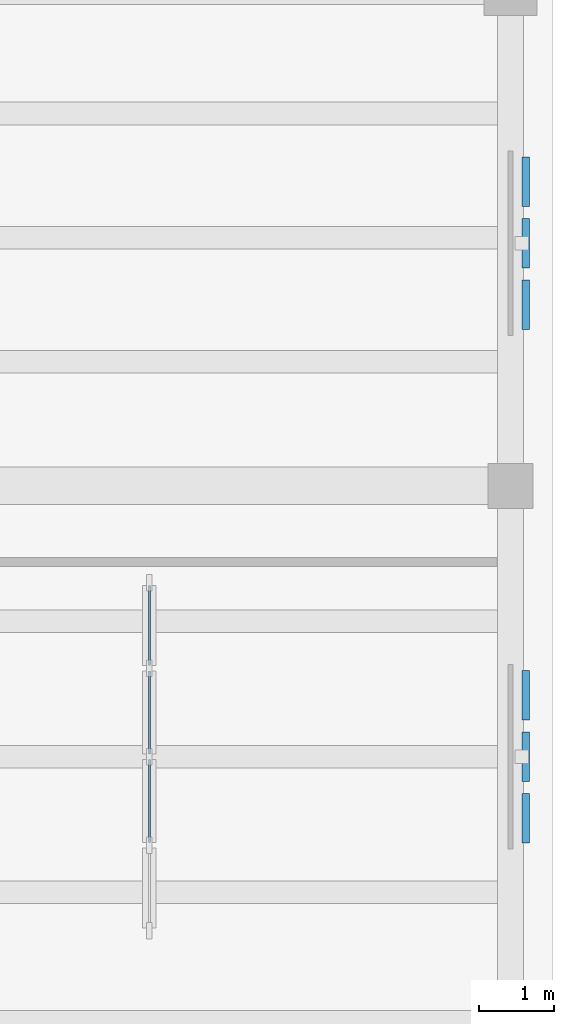
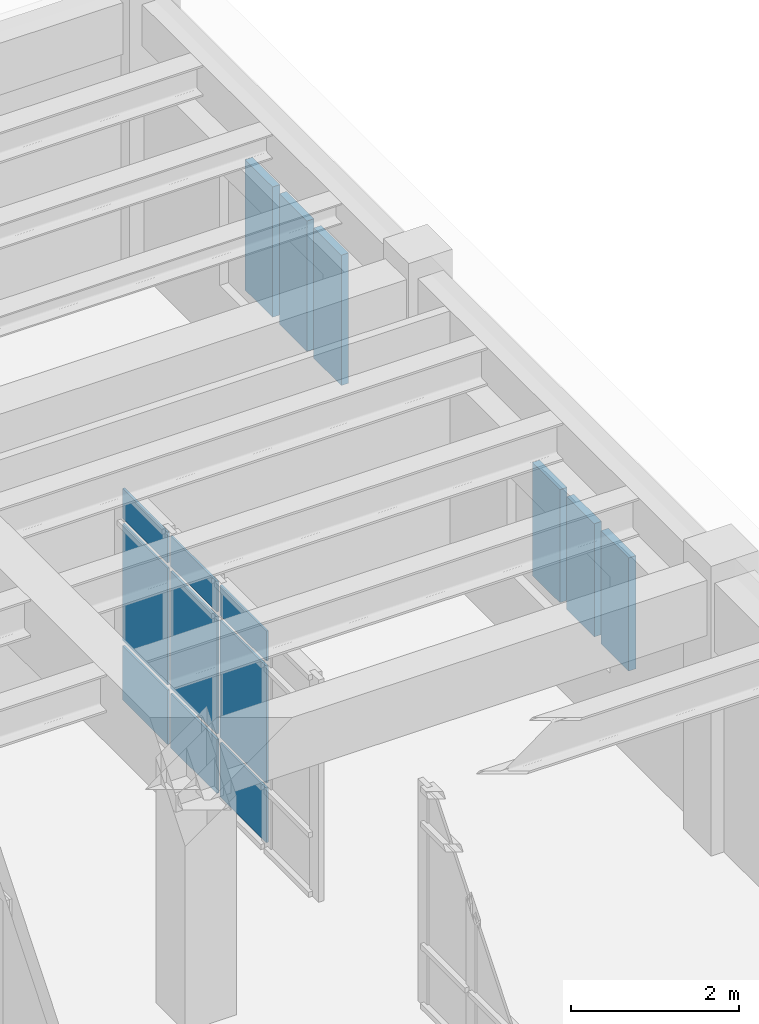
# One storey, part 18 of 40: 15 plates, 1 element without a shape of its own.
"""IFC4 building model written with IfcOpenShell, lengths in metres."""

from ifc_helpers import new_model, si_unit, direction, frame, origin, origin_2d, place, context, subcontext, project, spatial, rectangle, extrude, material, layer, layer_set, type_object, element, aggregate, save


model = new_model("IFC4")

# Units and contexts
model_context = context("Model", 3, precision=1e-05, world=origin(), true_north=direction((0.0, 1.0)))
body_context = subcontext(model_context, "Body", "Model", "MODEL_VIEW")
ifc_project = project(units=[si_unit("LENGTHUNIT", "METRE"), si_unit("AREAUNIT", "SQUARE_METRE"), si_unit("VOLUMEUNIT", "CUBIC_METRE"), si_unit("PLANEANGLEUNIT", "RADIAN"), si_unit("MASSUNIT", "GRAM", prefix="KILO")], contexts=[model_context])

# Site, building, storey
site_placement = place(None, origin())
site = spatial("IfcSite", under=ifc_project, at=site_placement, CompositionType="ELEMENT")
building_placement = place(site_placement, origin())
building = spatial("IfcBuilding", under=site, at=building_placement, Name="Mithqara Police Headquarters", CompositionType="ELEMENT")
storey_placement = place(building_placement, frame((0.0, 0.0, 13.800048828125)))
storey = spatial("IfcBuildingStorey", under=building, at=storey_placement, Name="L03", CompositionType="ELEMENT", Elevation=13.800048828125)

# Curtain wall, plates
ifc_material_1 = material(Name="Bronze anodised aluminium 6063-T6", Category="aluminium")
curtain_wall_type = type_object("IfcCurtainWallType", Name="CURTAIN WALL 4700X3220", PredefinedType="USERDEFINED", material=ifc_material_1)
curtain_wall_placement = place(storey_placement, origin())
curtain_wall = element("IfcCurtainWall", 1, at=curtain_wall_placement, inside=storey, type_object=curtain_wall_type, Name="L03 Unitised Glazing CW-16 (CW-INT-L03-X22-Y14-0)", ObjectType="UNITISED GLAZING", PredefinedType="USERDEFINED")
ifc_material_2 = material(Name="Spectrally selective double low-e glass", Category="glass")
ifc_layer_1 = layer(ifc_material_2, 0.028076171875, Name="Spectrally selective double low-e glass")
ifc_layer_set_1 = layer_set([ifc_layer_1], Name="Spectrally selective double low-e glass")
plate_type_1 = type_object("IfcPlateType", Name="CWPANEL GLASS28", PredefinedType="CURTAIN_PANEL", material=ifc_layer_set_1)
plate_1_placement = place(storey_placement, frame((161.39990234375, 103.21240234375, 0.074951171875), z_axis=(0.0, 0.0, 1.0), x_axis=(0.0, 1.0, 0.0)))
plate_1 = element("IfcPlate", 2, at=plate_1_placement, type_object=plate_type_1, Name="CW-16 panel 2.1", PredefinedType="CURTAIN_PANEL", context=body_context, shape_type="SweptSolid", body=[
    extrude(rectangle(XDim=1.10009765625, YDim=0.028076171875, at=origin_2d()), origin(), (0.0, 0.0, 1.0), 0.78759765625),
])
plate_2_placement = place(storey_placement, frame((161.39990234375, 103.21240234375, 0.9375), z_axis=(0.0, 0.0, 1.0), x_axis=(0.0, 1.0, 0.0)))
plate_2 = element("IfcPlate", 3, at=plate_2_placement, type_object=plate_type_1, Name="CW-16 panel 2.2", PredefinedType="CURTAIN_PANEL", context=body_context, shape_type="SweptSolid", body=[
    extrude(rectangle(XDim=1.10009765625, YDim=0.028076171875, at=origin_2d()), origin(), (0.0, 0.0, 1.0), 1.695068359375),
])
plate_3_placement = place(storey_placement, frame((161.39990234375, 103.21240234375, 2.70751953125), z_axis=(0.0, 0.0, 1.0), x_axis=(0.0, 1.0, 0.0)))
plate_3 = element("IfcPlate", 4, at=plate_3_placement, type_object=plate_type_1, Name="CW-16 panel 2.3", PredefinedType="CURTAIN_PANEL", context=body_context, shape_type="SweptSolid", body=[
    extrude(rectangle(XDim=1.10009765625, YDim=0.028076171875, at=origin_2d()), origin(), (0.0, 0.0, 1.0), 0.4375),
])
plate_4_placement = place(storey_placement, frame((161.39990234375, 104.387451171875, 0.074951171875), z_axis=(0.0, 0.0, 1.0), x_axis=(0.0, 1.0, 0.0)))
plate_4 = element("IfcPlate", 5, at=plate_4_placement, type_object=plate_type_1, Name="CW-16 panel 3.1", PredefinedType="CURTAIN_PANEL", context=body_context, shape_type="SweptSolid", body=[
    extrude(rectangle(XDim=1.10009765625, YDim=0.028076171875, at=origin_2d()), origin(), (0.0, 0.0, 1.0), 0.78759765625),
])
plate_5_placement = place(storey_placement, frame((161.39990234375, 104.387451171875, 0.9375), z_axis=(0.0, 0.0, 1.0), x_axis=(0.0, 1.0, 0.0)))
plate_5 = element("IfcPlate", 6, at=plate_5_placement, type_object=plate_type_1, Name="CW-16 panel 3.2", PredefinedType="CURTAIN_PANEL", context=body_context, shape_type="SweptSolid", body=[
    extrude(rectangle(XDim=1.10009765625, YDim=0.028076171875, at=origin_2d()), origin(), (0.0, 0.0, 1.0), 1.695068359375),
])
plate_6_placement = place(storey_placement, frame((161.39990234375, 104.387451171875, 2.70751953125), z_axis=(0.0, 0.0, 1.0), x_axis=(0.0, 1.0, 0.0)))
plate_6 = element("IfcPlate", 7, at=plate_6_placement, type_object=plate_type_1, Name="CW-16 panel 3.3", PredefinedType="CURTAIN_PANEL", context=body_context, shape_type="SweptSolid", body=[
    extrude(rectangle(XDim=1.10009765625, YDim=0.028076171875, at=origin_2d()), origin(), (0.0, 0.0, 1.0), 0.4375),
])
plate_7_placement = place(storey_placement, frame((161.39990234375, 105.543701171875, 0.074951171875), z_axis=(0.0, 0.0, 1.0), x_axis=(0.0, 1.0, 0.0)))
plate_7 = element("IfcPlate", 8, at=plate_7_placement, type_object=plate_type_1, Name="CW-16 panel 4.1", PredefinedType="CURTAIN_PANEL", context=body_context, shape_type="SweptSolid", body=[
    extrude(rectangle(XDim=1.0625, YDim=0.028076171875, at=origin_2d()), origin(), (0.0, 0.0, 1.0), 0.78759765625),
])
plate_8_placement = place(storey_placement, frame((161.39990234375, 105.543701171875, 0.9375), z_axis=(0.0, 0.0, 1.0), x_axis=(0.0, 1.0, 0.0)))
plate_8 = element("IfcPlate", 9, at=plate_8_placement, type_object=plate_type_1, Name="CW-16 panel 4.2", PredefinedType="CURTAIN_PANEL", context=body_context, shape_type="SweptSolid", body=[
    extrude(rectangle(XDim=1.0625, YDim=0.028076171875, at=origin_2d()), origin(), (0.0, 0.0, 1.0), 1.695068359375),
])
plate_9_placement = place(storey_placement, frame((161.39990234375, 105.543701171875, 2.70751953125), z_axis=(0.0, 0.0, 1.0), x_axis=(0.0, 1.0, 0.0)))
plate_9 = element("IfcPlate", 10, at=plate_9_placement, type_object=plate_type_1, Name="CW-16 panel 4.3", PredefinedType="CURTAIN_PANEL", context=body_context, shape_type="SweptSolid", body=[
    extrude(rectangle(XDim=1.0625, YDim=0.028076171875, at=origin_2d()), origin(), (0.0, 0.0, 1.0), 0.4375),
])
aggregate(curtain_wall, [plate_1, plate_2, plate_3, plate_4, plate_5, plate_6, plate_7, plate_8, plate_9])

# Plates
ifc_material_3 = material(Name="Limestone ashlar masonry, 45 MPa", Category="masonry")
ifc_layer_2 = layer(ifc_material_3, 0.10009765625, Name="Limestone ashlar masonry, 45 MPa")
ifc_layer_set_2 = layer_set([ifc_layer_2], Name="Limestone ashlar masonry, 45 MPa")
plate_type_2 = type_object("IfcPlateType", Name="STONE SCREEN 100", PredefinedType="USERDEFINED", material=ifc_layer_set_2)
for number, where, z_axis, x_axis, name in (
    (11, (166.39990234375, 102.9833984375, 0.830078125), (0.0, 0.0, 1.0), (0.0, 1.0, 0.0), "L03 Pierced Limestone Vertical-Slit Panel 137"),
    (12, (166.39990234375, 103.800048828125, 0.830078125), (0.0, 0.0, 1.0), (0.0, 1.0, 0.0), "L03 Pierced Limestone Vertical-Slit Panel 138"),
    (13, (166.39990234375, 104.61669921875, 0.830078125), (0.0, 0.0, 1.0), (0.0, 1.0, 0.0), "L03 Pierced Limestone Vertical-Slit Panel 139"),
):
    element("IfcPlate", number, at=place(storey_placement, frame(where, z_axis=z_axis, x_axis=x_axis)), inside=storey, type_object=plate_type_2, Name=name, ObjectType="STONE SCREEN", PredefinedType="USERDEFINED", context=body_context, shape_type="SweptSolid", body=[
        extrude(rectangle(XDim=0.656005859375, YDim=0.10009765625, at=origin_2d()), origin(), (0.0, 0.0, 1.0), 1.639892578125),
    ])
for number, where, z_axis, x_axis, name in (
    (14, (166.39990234375, 109.808349609375, 0.830078125), (0.0, 0.0, 1.0), (0.0, 1.0, 0.0), "L03 Pierced Limestone Vertical-Slit Panel 140"),
    (15, (166.39990234375, 110.625, 0.830078125), (0.0, 0.0, 1.0), (0.0, 1.0, 0.0), "L03 Pierced Limestone Vertical-Slit Panel 141"),
    (16, (166.39990234375, 111.441650390625, 0.830078125), (0.0, 0.0, 1.0), (0.0, 1.0, 0.0), "L03 Pierced Limestone Vertical-Slit Panel 142"),
):
    element("IfcPlate", number, at=place(storey_placement, frame(where, z_axis=z_axis, x_axis=x_axis)), inside=storey, type_object=plate_type_2, Name=name, ObjectType="STONE SCREEN", PredefinedType="USERDEFINED", context=body_context, shape_type="SweptSolid", body=[
        extrude(rectangle(XDim=0.656005859375, YDim=0.10009765625, at=origin_2d()), origin(), (0.0, 0.0, 1.0), 1.889892578125),
    ])

save(model, "model.ifc")
